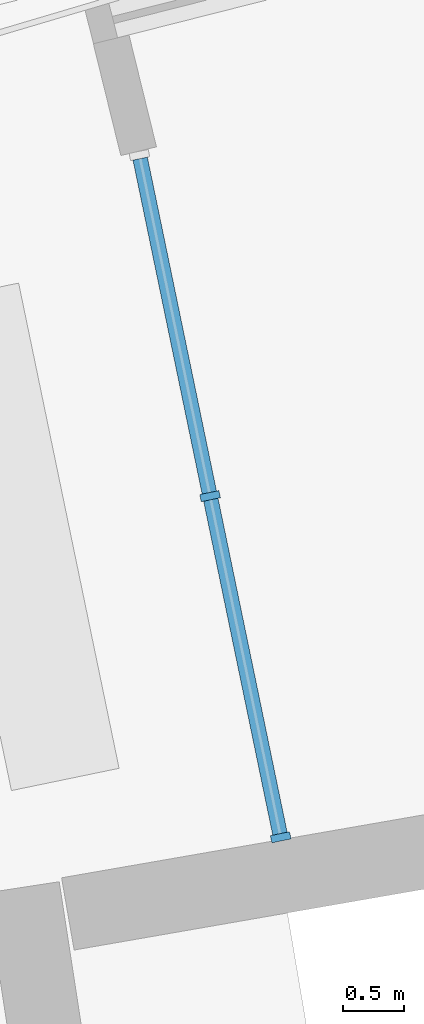
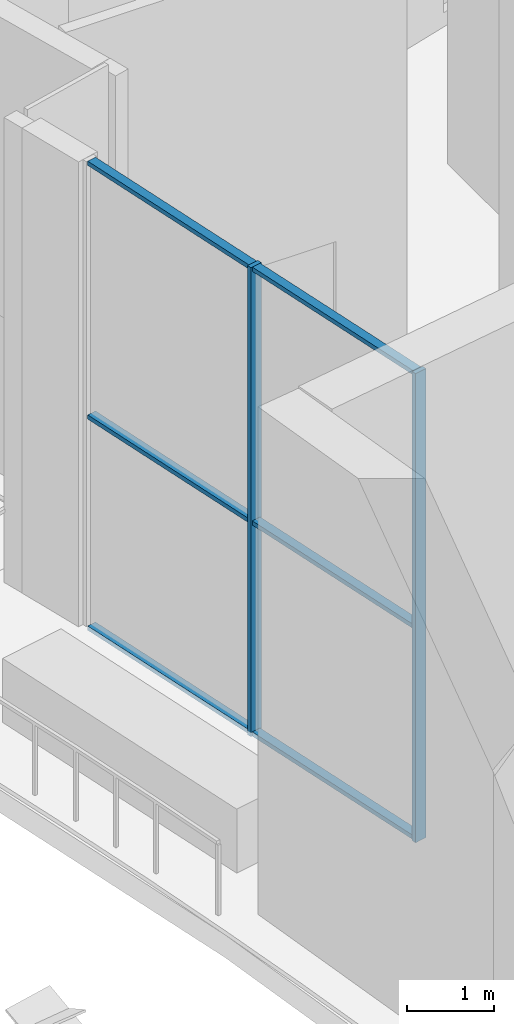
# One storey, part 8 of 24: 8 members, 1 element without a shape of its own.
"""IFC4 building model written with IfcOpenShell, lengths in metres."""

from ifc_helpers import new_model, si_unit, direction, frame, origin, origin_2d, place, context, subcontext, project, spatial, rectangle, extrude, material, layer, layer_set, material_profile, profile_set, type_object, element, aggregate, save


model = new_model("IFC4")

# Units and contexts
model_context = context("Model", 3, precision=1e-05, world=origin(), true_north=direction((0.0, 1.0)))
body_context = subcontext(model_context, "Body", "Model", "MODEL_VIEW")
ifc_project = project(units=[si_unit("LENGTHUNIT", "METRE"), si_unit("AREAUNIT", "SQUARE_METRE"), si_unit("VOLUMEUNIT", "CUBIC_METRE"), si_unit("PLANEANGLEUNIT", "RADIAN"), si_unit("MASSUNIT", "GRAM", prefix="KILO")], contexts=[model_context])

# Site, building, storey
site_placement = place(None, origin())
site = spatial("IfcSite", under=ifc_project, at=site_placement, CompositionType="ELEMENT")
building_placement = place(site_placement, origin())
building = spatial("IfcBuilding", under=site, at=building_placement, Name="Alderwake Tower", CompositionType="ELEMENT")
storey_placement = place(building_placement, frame((0.0, 0.0, 232.39990234375)))
storey = spatial("IfcBuildingStorey", under=building, at=storey_placement, Name="L58", CompositionType="ELEMENT", Elevation=232.39990234375)

# Curtain wall, members
ifc_material_1 = material(Name="Bronze tinted glass in aluminium frame", Category="aluminium")
ifc_layer = layer(ifc_material_1, 0.199951171875)
ifc_layer_set = layer_set([ifc_layer], Name="Curtain wall CW3 sky garden glazing")
curtain_wall_type = type_object("IfcCurtainWallType", Name="Curtain wall CW3 sky garden glazing", PredefinedType="NOTDEFINED", material=ifc_layer_set)
curtain_wall_placement = place(storey_placement, origin())
curtain_wall = element("IfcCurtainWall", 1, at=curtain_wall_placement, inside=storey, type_object=curtain_wall_type, Name="Curtain wall 1", PredefinedType="NOTDEFINED")
ifc_material_2 = material(Name="Aluminium bronze anodised", Category="aluminium")
ifc_material_profile_1 = material_profile(ifc_material_2, rectangle(XDim=0.159912109375, YDim=0.06005859375, at=origin_2d()), Name="Mullion MUC 60x160")
ifc_profile_set_1 = profile_set([ifc_material_profile_1], Name="Aluminium bronze anodised")
member_type_1 = type_object("IfcMemberType", Name="Mullion MUC 60x160", PredefinedType="MULLION", material=ifc_profile_set_1)
member_1_placement = place(storey_placement, frame((16.853271484375, 81.055908203125, 0.0), z_axis=(0.0, 0.0, 1.0), x_axis=(0.979230258951, 0.202751325409, 0.0)))
member_1 = element("IfcMember", 2, at=member_1_placement, type_object=member_type_1, Name="CW.01 mullion 2", PredefinedType="MULLION", context=body_context, shape_type="SweptSolid", body=[
    extrude(rectangle(XDim=0.159912109375, YDim=0.06005859375, at=origin_2d()), origin(), (0.0, 0.0, 1.0), 6.60009765625),
])
member_2_placement = place(storey_placement, frame((17.431396484375, 78.26318359375, 0.0), z_axis=(0.0, 0.0, 1.0), x_axis=(0.979230258951, 0.202751325409, 0.0)))
member_2 = element("IfcMember", 3, at=member_2_placement, type_object=member_type_1, Name="CW.01 mullion 3", PredefinedType="MULLION", context=body_context, shape_type="SweptSolid", body=[
    extrude(rectangle(XDim=0.159912109375, YDim=0.06005859375, at=origin_2d()), origin(), (0.0, 0.0, 1.0), 6.60009765625),
])
ifc_material_3 = material(Name="Aluminium bronze anodised", Category="aluminium")
ifc_material_profile_2 = material_profile(ifc_material_3, rectangle(XDim=0.1201171875, YDim=0.06005859375, at=origin_2d()), Name="Transom TRC 60x120")
ifc_profile_set_2 = profile_set([ifc_material_profile_2], Name="Aluminium bronze anodised")
member_type_2 = type_object("IfcMemberType", Name="Transom TRC 60x120", PredefinedType="USERDEFINED", material=ifc_profile_set_2)
member_3_placement = place(storey_placement, frame((16.281005859375, 83.819091796875, 0.030029296875), z_axis=(0.202787771835, -0.979222711948, 0.0), x_axis=(0.979222711948, 0.202787771835, 0.0)))
member_3 = element("IfcMember", 4, at=member_3_placement, type_object=member_type_2, Name="CW.01 transom 1.1", ObjectType="TRANSOM", PredefinedType="USERDEFINED", context=body_context, shape_type="SweptSolid", body=[
    extrude(rectangle(XDim=0.1201171875, YDim=0.06005859375, at=origin_2d()), origin(), (0.0, 0.0, 1.0), 2.7919921875),
])
member_4_placement = place(storey_placement, frame((16.281005859375, 83.819091796875, 3.0), z_axis=(0.202787771835, -0.979222711948, 0.0), x_axis=(0.979222711948, 0.202787771835, 0.0)))
member_4 = element("IfcMember", 5, at=member_4_placement, type_object=member_type_2, Name="CW.01 transom 1.2", ObjectType="TRANSOM", PredefinedType="USERDEFINED", context=body_context, shape_type="SweptSolid", body=[
    extrude(rectangle(XDim=0.1201171875, YDim=0.06005859375, at=origin_2d()), origin(), (0.0, 0.0, 1.0), 2.7919921875),
])
member_5_placement = place(storey_placement, frame((16.281005859375, 83.819091796875, 6.570068359375), z_axis=(0.202787771835, -0.979222711948, 0.0), x_axis=(0.979222711948, 0.202787771835, 0.0)))
member_5 = element("IfcMember", 6, at=member_5_placement, type_object=member_type_2, Name="CW.01 transom 1.3", ObjectType="TRANSOM", PredefinedType="USERDEFINED", context=body_context, shape_type="SweptSolid", body=[
    extrude(rectangle(XDim=0.1201171875, YDim=0.06005859375, at=origin_2d()), origin(), (0.0, 0.0, 1.0), 2.7919921875),
])
member_6_placement = place(storey_placement, frame((16.859375, 81.026611328125, 0.030029296875), z_axis=(0.20270391943, -0.979240073244, 0.0), x_axis=(0.979240073244, 0.20270391943, 0.0)))
member_6 = element("IfcMember", 7, at=member_6_placement, type_object=member_type_2, Name="CW.01 transom 2.1", ObjectType="TRANSOM", PredefinedType="USERDEFINED", context=body_context, shape_type="SweptSolid", body=[
    extrude(rectangle(XDim=0.1201171875, YDim=0.06005859375, at=origin_2d()), origin(), (0.0, 0.0, 1.0), 2.791748046875),
])
member_7_placement = place(storey_placement, frame((16.859375, 81.026611328125, 3.0), z_axis=(0.20270391943, -0.979240073244, 0.0), x_axis=(0.979240073244, 0.20270391943, 0.0)))
member_7 = element("IfcMember", 8, at=member_7_placement, type_object=member_type_2, Name="CW.01 transom 2.2", ObjectType="TRANSOM", PredefinedType="USERDEFINED", context=body_context, shape_type="SweptSolid", body=[
    extrude(rectangle(XDim=0.1201171875, YDim=0.06005859375, at=origin_2d()), origin(), (0.0, 0.0, 1.0), 2.791748046875),
])
member_8_placement = place(storey_placement, frame((16.859375, 81.026611328125, 6.570068359375), z_axis=(0.20270391943, -0.979240073244, 0.0), x_axis=(0.979240073244, 0.20270391943, 0.0)))
member_8 = element("IfcMember", 9, at=member_8_placement, type_object=member_type_2, Name="CW.01 transom 2.3", ObjectType="TRANSOM", PredefinedType="USERDEFINED", context=body_context, shape_type="SweptSolid", body=[
    extrude(rectangle(XDim=0.1201171875, YDim=0.06005859375, at=origin_2d()), origin(), (0.0, 0.0, 1.0), 2.791748046875),
])
aggregate(curtain_wall, [member_1, member_2, member_3, member_4, member_5, member_6, member_7, member_8])

save(model, "model.ifc")
